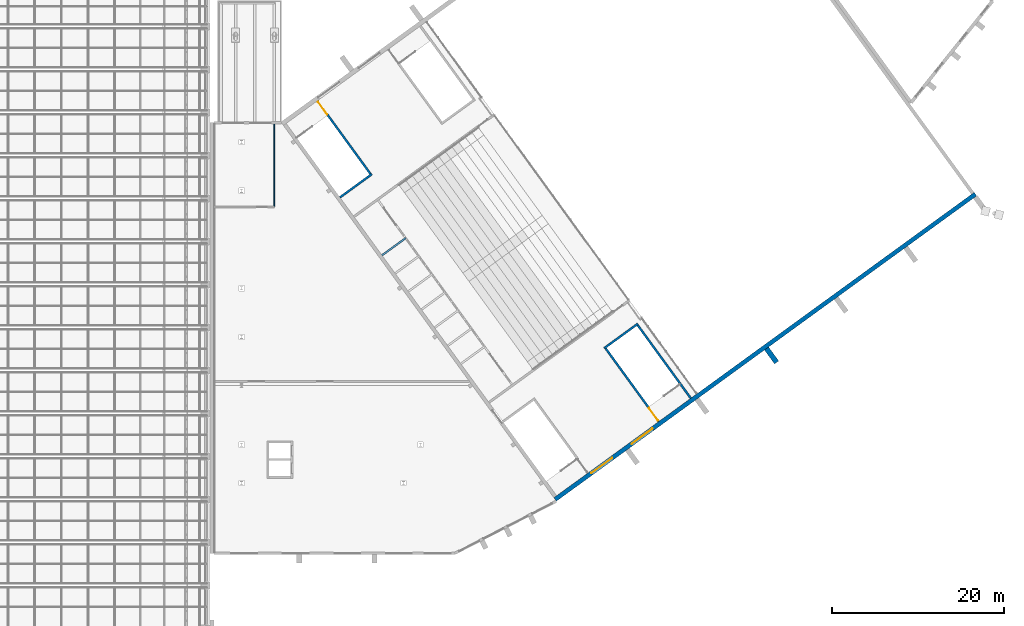
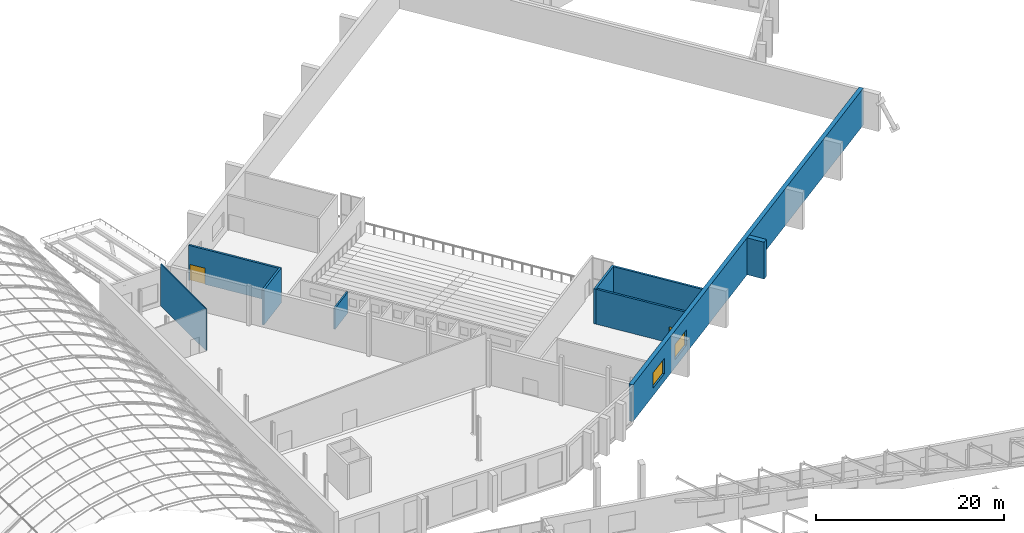
# One storey, part 144 of 182: 9 walls, 2 doors, 2 windows, 4 openings.
"""IFC4 building model written with IfcOpenShell, lengths in metres."""

from ifc_helpers import new_model, si_unit, direction, frame, frame_2d, origin, place, context, subcontext, project, spatial, rectangle, extrude, material, layer, layer_set, type_object, element, fill, save


model = new_model("IFC4")

# Units and contexts
model_context = context("Model", 3, precision=1e-05, world=origin(), true_north=direction((0.0, 1.0)))
body_context = subcontext(model_context, "Body", "Model", "MODEL_VIEW")
ifc_project = project(units=[si_unit("LENGTHUNIT", "METRE"), si_unit("AREAUNIT", "SQUARE_METRE"), si_unit("VOLUMEUNIT", "CUBIC_METRE"), si_unit("PLANEANGLEUNIT", "RADIAN"), si_unit("MASSUNIT", "GRAM", prefix="KILO")], contexts=[model_context])

# Site, building, storey
site_placement = place(None, origin())
site = spatial("IfcSite", under=ifc_project, at=site_placement, CompositionType="ELEMENT")
building_placement = place(site_placement, origin())
building = spatial("IfcBuilding", under=site, at=building_placement, Name="Okhra Congress Centre", CompositionType="ELEMENT")
storey_placement = place(building_placement, frame((0.0, 0.0, 7.199951171875)))
storey = spatial("IfcBuildingStorey", under=building, at=storey_placement, Name="L01", CompositionType="ELEMENT", Elevation=7.199951171875)

# Walls
ifc_material_1 = material(Name="Concrete C35/45", Category="concrete")
ifc_layer_1 = layer(ifc_material_1, 0.60009765625)
ifc_layer_set_1 = layer_set([ifc_layer_1], Name="Buttress fin 600 R 120 C35/45")
wall_type_1 = type_object("IfcWallType", Name="Buttress fin 600 R 120 C35/45", PredefinedType="SOLIDWALL", material=ifc_layer_set_1)
wall_1_placement = place(storey_placement, frame((254.22802734375, 173.540283203125, 0.0), z_axis=(0.0, 0.0, 1.0), x_axis=(0.587743397701, -0.809047401861, 0.0)))
element("IfcWall", 1, at=wall_1_placement, inside=storey, type_object=wall_type_1, Name="Buttress fin S 0 L01", PredefinedType="SOLIDWALL", context=body_context, shape_type="SweptSolid", body=[
    extrude(rectangle(XDim=2.0, YDim=0.60009765625, at=frame_2d((1.0, 0.0))), origin(), (0.0, 0.0, 1.0), 4.800048828125),
])
ifc_material_2 = material(Name="Gypsum board on steel studs", Category="steel")
ifc_layer_2 = layer(ifc_material_2, 0.125)
ifc_layer_set_2 = layer_set([ifc_layer_2], Name="Partition 125")
wall_type_2 = type_object("IfcWallType", Name="Partition 125", PredefinedType="PARTITIONING", material=ifc_layer_set_2)
wall_2_placement = place(storey_placement, frame((197.0, 190.0, 0.0), z_axis=(0.0, 0.0, 1.0), x_axis=(0.0, 1.0, 0.0)))
element("IfcWall", 2, at=wall_2_placement, inside=storey, type_object=wall_type_2, Name="Press room east wall", PredefinedType="PARTITIONING", context=body_context, shape_type="SweptSolid", body=[
    extrude(rectangle(XDim=9.639892578125, YDim=0.125, at=frame_2d((4.81982421875, 0.0))), origin(), (0.0, 0.0, 1.0), 5.46484375),
])

# Wall, opening, door
ifc_layer_3 = layer(ifc_material_1, 0.25)
ifc_layer_set_3 = layer_set([ifc_layer_3], Name="RC stair cell wall 250 REI 120 C35/45")
wall_type_3 = type_object("IfcWallType", Name="RC stair cell wall 250 REI 120 C35/45", PredefinedType="SOLIDWALL", material=ifc_layer_set_3)
wall_3_placement = place(storey_placement, frame((241.69775390625, 165.054443359375, 0.0), z_axis=(0.0, 0.0, 1.0), x_axis=(-0.587790834139, 0.809012938897, 0.0)))
wall_3 = element("IfcWall", 3, at=wall_3_placement, inside=storey, type_object=wall_type_3, Name="Escape stair 2 wall W L01", PredefinedType="SOLIDWALL", context=body_context, shape_type="SweptSolid", body=[
    extrude(rectangle(XDim=10.750244140625, YDim=0.25, at=frame_2d((5.375, 0.0))), origin(), (0.0, 0.0, 1.0), 4.550048828125),
])
opening_1_placement = place(wall_3_placement, frame((0.14990234375, 0.0, 0.0)))
opening_1 = element("IfcOpeningElement", 4, at=opening_1_placement, cuts=wall_3, Name="Opening L01-078", PredefinedType="OPENING", context=body_context, shape_type="SweptSolid", body=[
    extrude(rectangle(XDim=1.800048828125, YDim=2.10009765625, at=frame_2d((0.89990234375, 1.050048828125))), frame((0.0, 0.135009765625, 0.0), z_axis=(0.0, -1.0, 0.0), x_axis=(1.0, 0.0, 0.0)), (0.0, 0.0, 1.0), 0.27001953125),
])
ifc_material_3 = material(Name="Steel fire door leaves in steel frame, intumescent seals", Category="steel")
door_type = type_object("IfcDoorType", Name="Steel fire door pair 1800x2100 EI 30", OperationType="NOTDEFINED", PredefinedType="DOOR", material=ifc_material_3)
door_1_placement = place(opening_1_placement, origin())
door_1 = element("IfcDoor", 5, at=door_1_placement, inside=storey, type_object=door_type, Name="Door L01-078", OperationType="DOUBLE_DOOR_SINGLE_SWING", OverallHeight=2.10009765625, OverallWidth=1.800048828125, PredefinedType="DOOR", context=body_context, shape_type="SweptSolid", body=[
    extrude(rectangle(XDim=1.800048828125, YDim=2.10009765625, at=frame_2d((0.89990234375, 1.050048828125))), frame((0.0, 0.02490234375, 0.0), z_axis=(0.0, -1.0, 0.0), x_axis=(1.0, 0.0, 0.0)), (0.0, 0.0, 1.0), 0.050048828125),
])
fill(opening_1, door_1)

# Walls
wall_4_placement = place(storey_placement, frame((245.419189453125, 167.75830078125, 0.0), z_axis=(0.0, 0.0, 1.0), x_axis=(-0.587801633775, 0.809005092278, 0.0)))
element("IfcWall", 6, at=wall_4_placement, inside=storey, type_object=wall_type_3, Name="Escape stair 2 wall E L01", PredefinedType="SOLIDWALL", context=body_context, shape_type="SweptSolid", body=[
    extrude(rectangle(XDim=10.75, YDim=0.25, at=frame_2d((5.375, 0.0))), origin(), (0.0, 0.0, 1.0), 4.550048828125),
])
wall_5_placement = place(storey_placement, frame((235.351318359375, 173.57666015625, 0.0), z_axis=(0.0, 0.0, 1.0), x_axis=(0.809016791155, 0.587785532001, 0.0)))
element("IfcWall", 7, at=wall_5_placement, inside=storey, type_object=wall_type_3, Name="Escape stair 2 wall F L01", PredefinedType="SOLIDWALL", context=body_context, shape_type="SweptSolid", body=[
    extrude(rectangle(XDim=4.85009765625, YDim=0.25, at=frame_2d((2.425048828125, 0.0))), origin(), (0.0, 0.0, 1.0), 4.550048828125),
])

# Wall, opening, door
wall_6_placement = place(storey_placement, frame((201.999267578125, 202.341552734375, 0.0), z_axis=(0.0, 0.0, 1.0), x_axis=(0.587775969834, -0.809023738395, 0.0)))
wall_6 = element("IfcWall", 8, at=wall_6_placement, inside=storey, type_object=wall_type_3, Name="Escape stair 3 wall W L01", PredefinedType="SOLIDWALL", context=body_context, shape_type="SweptSolid", body=[
    extrude(rectangle(XDim=10.75, YDim=0.25, at=frame_2d((5.375, 0.0))), origin(), (0.0, 0.0, 1.0), 4.550048828125),
])
opening_2_placement = place(wall_6_placement, frame((0.14990234375, 0.0, 0.0)))
opening_2 = element("IfcOpeningElement", 9, at=opening_2_placement, cuts=wall_6, Name="Opening L01-079", PredefinedType="OPENING", context=body_context, shape_type="SweptSolid", body=[
    extrude(rectangle(XDim=1.800048828125, YDim=2.10009765625, at=frame_2d((0.89990234375, 1.050048828125))), frame((0.0, 0.135009765625, 0.0), z_axis=(0.0, -1.0, 0.0), x_axis=(1.0, 0.0, 0.0)), (0.0, 0.0, 1.0), 0.27001953125),
])
door_2_placement = place(opening_2_placement, origin())
door_2 = element("IfcDoor", 10, at=door_2_placement, inside=storey, type_object=door_type, Name="Door L01-079", OperationType="DOUBLE_DOOR_SINGLE_SWING", OverallHeight=2.10009765625, OverallWidth=1.800048828125, PredefinedType="DOOR", context=body_context, shape_type="SweptSolid", body=[
    extrude(rectangle(XDim=1.800048828125, YDim=2.10009765625, at=frame_2d((0.89990234375, 1.050048828125))), frame((0.0, 0.02490234375, 0.0), z_axis=(0.0, -1.0, 0.0), x_axis=(1.0, 0.0, 0.0)), (0.0, 0.0, 1.0), 0.050048828125),
])
fill(opening_2, door_2)

# Walls
wall_7_placement = place(storey_placement, frame((204.6240234375, 191.115234375, 0.0), z_axis=(0.0, 0.0, 1.0), x_axis=(0.809009113768, 0.587796098864, 0.0)))
element("IfcWall", 11, at=wall_7_placement, inside=storey, type_object=wall_type_3, Name="Escape stair 3 wall F L01", PredefinedType="SOLIDWALL", context=body_context, shape_type="SweptSolid", body=[
    extrude(rectangle(XDim=4.60009765625, YDim=0.25, at=frame_2d((2.300048828125, 0.0))), origin(), (0.0, 0.0, 1.0), 4.550048828125),
])
ifc_material_4 = material(Name="Concrete C30/37", Category="concrete")
ifc_layer_4 = layer(ifc_material_4, 0.199951171875)
ifc_layer_set_4 = layer_set([ifc_layer_4], Name="RC wall 200 REI 120 C30/37")
wall_type_4 = type_object("IfcWallType", Name="RC wall 200 REI 120 C30/37", PredefinedType="SOLIDWALL", material=ifc_layer_set_4)
wall_8_placement = place(storey_placement, frame((209.517333984375, 184.380126953125, 1.800048828125), z_axis=(0.0, 0.0, 1.0), x_axis=(0.80901544635, 0.587787382961, 0.0)))
element("IfcWall", 12, at=wall_8_placement, inside=storey, type_object=wall_type_4, Name="Booth dividing wall 7", PredefinedType="SOLIDWALL", context=body_context, shape_type="SweptSolid", body=[
    extrude(rectangle(XDim=3.400146484375, YDim=0.199951171875, at=frame_2d((1.7001953125, 0.0))), origin(), (0.0, 0.0, 1.0), 2.75),
])

# Wall, openings, windows
ifc_layer_5 = layer(ifc_material_1, 0.5)
ifc_layer_set_5 = layer_set([ifc_layer_5], Name="RC wall 500 REI 120 C35/45")
wall_type_5 = type_object("IfcWallType", Name="RC wall 500 REI 120 C35/45", PredefinedType="SOLIDWALL", material=ifc_layer_set_5)
wall_9_placement = place(storey_placement, frame((229.648681640625, 155.9912109375, 0.0), z_axis=(0.0, 0.0, 1.0), x_axis=(0.809016008294, 0.587786609514, 0.0)))
wall_9 = element("IfcWall", 13, at=wall_9_placement, inside=storey, type_object=wall_type_5, Name="Buttress wall S L01", PredefinedType="SOLIDWALL", context=body_context, shape_type="SweptSolid", body=[
    extrude(rectangle(XDim=60.400146484375, YDim=0.5, at=frame_2d((30.2001953125, 0.0))), origin(), (0.0, 0.0, 1.0), 4.800048828125),
])
opening_3_placement = place(wall_9_placement, frame((5.199951171875, 0.0, 1.0)))
opening_3 = element("IfcOpeningElement", 14, at=opening_3_placement, cuts=wall_9, Name="Opening WN9", PredefinedType="OPENING", context=body_context, shape_type="SweptSolid", body=[
    extrude(rectangle(XDim=3.0, YDim=2.0, at=frame_2d((1.5, 1.0))), frame((0.0, 0.260009765625, 0.0), z_axis=(0.0, -1.0, 0.0), x_axis=(1.0, 0.0, 0.0)), (0.0, 0.0, 1.0), 0.52001953125),
])
opening_4_placement = place(wall_9_placement, frame((11.0, 0.0, 1.0)))
opening_4 = element("IfcOpeningElement", 15, at=opening_4_placement, cuts=wall_9, Name="Opening WN9", PredefinedType="OPENING", context=body_context, shape_type="SweptSolid", body=[
    extrude(rectangle(XDim=3.0, YDim=2.0, at=frame_2d((1.5, 1.0))), frame((0.0, 0.260009765625, 0.0), z_axis=(0.0, -1.0, 0.0), x_axis=(1.0, 0.0, 0.0)), (0.0, 0.0, 1.0), 0.52001953125),
])
ifc_material_5 = material(Name="Thermally broken aluminium frame, triple glazing", Category="aluminium")
window_type = type_object("IfcWindowType", Name="Fixed window 3000x2000", PartitioningType="SINGLE_PANEL", PredefinedType="WINDOW", material=ifc_material_5)
window_1_placement = place(opening_3_placement, origin())
window_1 = element("IfcWindow", 16, at=window_1_placement, inside=storey, type_object=window_type, Name="PH.WIN.L01.1", OverallHeight=2.0, OverallWidth=3.0, PartitioningType="SINGLE_PANEL", PredefinedType="WINDOW", context=body_context, shape_type="SweptSolid", body=[
    extrude(rectangle(XDim=3.0, YDim=2.0, at=frame_2d((1.5, 1.0))), frame((0.0, 0.030029296875, 0.0), z_axis=(0.0, -1.0, 0.0), x_axis=(1.0, 0.0, 0.0)), (0.0, 0.0, 1.0), 0.06005859375),
])
fill(opening_3, window_1)
window_2_placement = place(opening_4_placement, origin())
window_2 = element("IfcWindow", 17, at=window_2_placement, inside=storey, type_object=window_type, Name="PH.WIN.L01.2", OverallHeight=2.0, OverallWidth=3.0, PartitioningType="SINGLE_PANEL", PredefinedType="WINDOW", context=body_context, shape_type="SweptSolid", body=[
    extrude(rectangle(XDim=3.0, YDim=2.0, at=frame_2d((1.5, 1.0))), frame((0.0, 0.030029296875, 0.0), z_axis=(0.0, -1.0, 0.0), x_axis=(1.0, 0.0, 0.0)), (0.0, 0.0, 1.0), 0.06005859375),
])
fill(opening_4, window_2)

save(model, "model.ifc")
